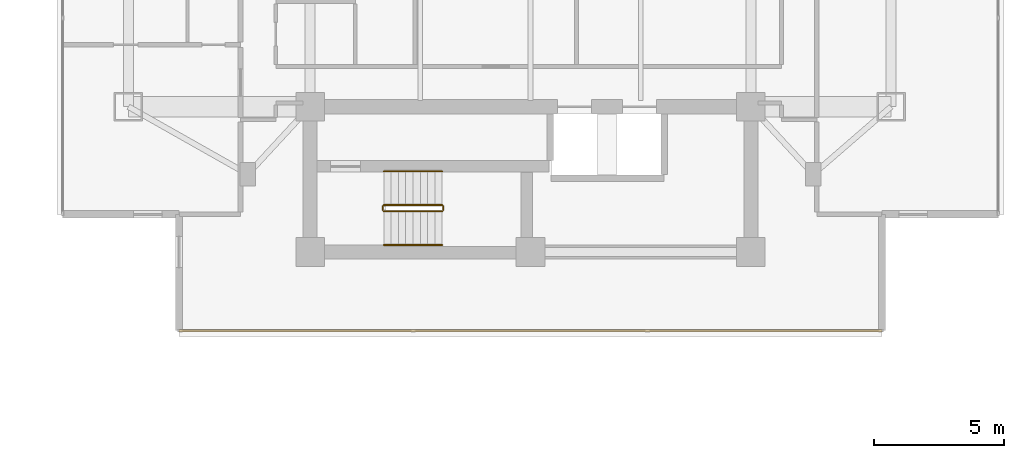
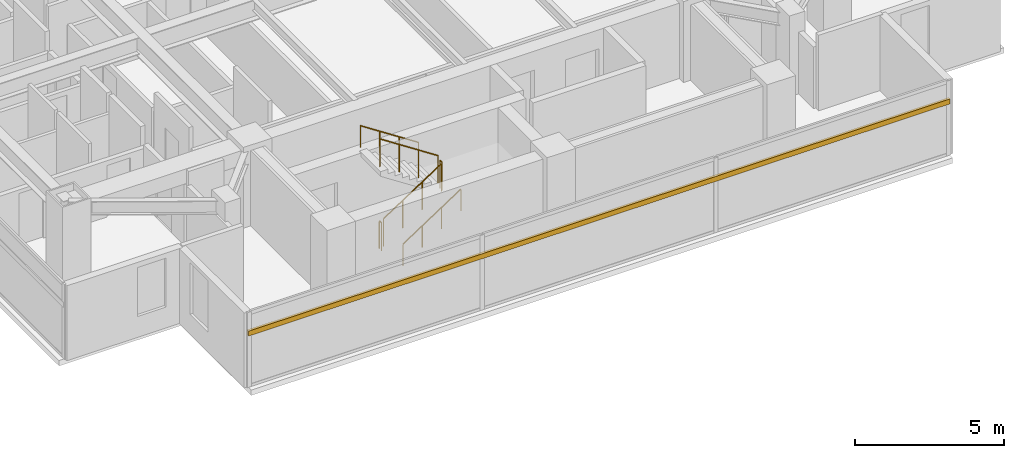
# One storey, part 22 of 24: 6 railings, 1 shading device.
"""IFC4 building model written with IfcOpenShell, lengths in metres."""

import ifcopenshell
import ifcopenshell.guid

model = None  # the IFC model being written
_history = None  # IfcOwnerHistory: only IFC2X3 demands one
_inside = {}  # id of a spatial element -> (the spatial element, [elements in it])
_under = {}  # id of a project, library or spatial element -> (it, [spatial elements below it])
_declared = {}  # id of a project -> (the project, [libraries it declares])
_typed = {}  # id of a type object -> (the type object, [elements of that type])
_made_of = {}  # id of a material, layer set ... -> (it, [elements and type objects made of it])


def new_model(schema):
    """Start an empty IFC model of exactly this schema.

    Asked for "IFC4X3", IfcOpenShell would pick the latest addendum, in which some entities
    have other attributes; the version numbers below select the first issue.
    IFC2X3 requires an IfcOwnerHistory on every rooted entity: one is made here for all.
    """
    global model, _history
    if schema == "IFC4X3":
        model = ifcopenshell.file(schema_version=(4, 3, 0, 0))
    else:
        model = ifcopenshell.file(schema=schema)
    _inside.clear()
    _under.clear()
    _declared.clear()
    _typed.clear()
    _made_of.clear()
    _history = None
    if model.schema == "IFC2X3":
        org = make("IfcOrganization", Name="unknown")
        user = make(
            "IfcPersonAndOrganization",
            ThePerson=make("IfcPerson", FamilyName="unknown"),
            TheOrganization=org,
        )
        app = make(
            "IfcApplication",
            ApplicationDeveloper=org,
            Version="unknown",
            ApplicationFullName="unknown",
            ApplicationIdentifier="unknown",
        )
        _history = make(
            "IfcOwnerHistory",
            OwningUser=user,
            OwningApplication=app,
            ChangeAction="ADDED",
            CreationDate=0,
        )
    return model


def make(cls, **values):
    """One entity of the class cls with the attributes given. An attribute that is None is left unset."""
    return model.create_entity(
        cls, **{name: value for name, value in values.items() if value is not None}
    )


def rooted(cls, **values):
    """An entity with a GlobalId (a new one), such as an element, a storey or a relation."""
    return make(cls, GlobalId=ifcopenshell.guid.new(), OwnerHistory=_history, **values)


def si_unit(unit_type, name, prefix=None):
    """IfcSIUnit, for example si_unit("LENGTHUNIT", "METRE", prefix="MILLI")."""
    return make("IfcSIUnit", UnitType=unit_type, Prefix=prefix, Name=name)


def assignment(units):
    """IfcUnitAssignment: the units of a project."""
    return None if units is None else make("IfcUnitAssignment", Units=units)


def point(xyz):
    """IfcCartesianPoint."""
    return None if xyz is None else make("IfcCartesianPoint", Coordinates=xyz)


def direction(xyz):
    """IfcDirection."""
    return None if xyz is None else make("IfcDirection", DirectionRatios=xyz)


def frame(location, z_axis=None, x_axis=None):
    """IfcAxis2Placement3D, a coordinate frame: its origin and axes. An axis left out is left unset."""
    return make(
        "IfcAxis2Placement3D",
        Location=point(location),
        Axis=direction(z_axis),
        RefDirection=direction(x_axis),
    )


def frame_2d(location, x_axis=None):
    """IfcAxis2Placement2D, a coordinate frame in the plane: its origin and x axis."""
    return make(
        "IfcAxis2Placement2D", Location=point(location), RefDirection=direction(x_axis)
    )


def origin():
    """The frame at (0, 0, 0) with its axes left unset."""
    return frame((0.0, 0.0, 0.0))


def origin_2d():
    """The frame at (0, 0) in the plane with its x axis left unset."""
    return frame_2d((0.0, 0.0))


def place(relative_to, where):
    """IfcLocalPlacement: puts the frame where relative to a parent placement (None: the world)."""
    return make(
        "IfcLocalPlacement", PlacementRelTo=relative_to, RelativePlacement=where
    )


def context(
    kind, dimensions, precision=None, world=None, true_north=None, identifier=None
):
    """IfcGeometricRepresentationContext, for example the 3D "Model" context."""
    return make(
        "IfcGeometricRepresentationContext",
        ContextIdentifier=identifier,
        ContextType=kind,
        CoordinateSpaceDimension=dimensions,
        Precision=precision,
        WorldCoordinateSystem=world,
        TrueNorth=true_north,
    )


def subcontext(parent, identifier, kind, view, scale=None):
    """IfcGeometricRepresentationSubContext, for example "Body" below "Model"."""
    return make(
        "IfcGeometricRepresentationSubContext",
        ContextIdentifier=identifier,
        ContextType=kind,
        ParentContext=parent,
        TargetScale=scale,
        TargetView=view,
    )


def project(units=None, contexts=None):
    """IfcProject with its units and contexts."""
    return rooted(
        "IfcProject",
        Name="project",
        RepresentationContexts=contexts,
        UnitsInContext=assignment(units),
    )


def spatial(cls, under=None, at=None, **own):
    """A site, building, storey or space (cls), placed at a placement, below another one or the project."""
    s = rooted(cls, ObjectPlacement=at, **own)
    if under is not None:
        _under.setdefault(under.id(), (under, []))[1].append(s)
    return s


def profile(cls, at=None, kind="AREA", **sizes):
    """A parametric profile (cls). Its sizes go by their IFC names, for example OverallWidth=200.0."""
    return make(cls, ProfileType=kind, Position=at, **sizes)


def rectangle(**sizes):
    """IfcRectangleProfileDef."""
    return profile("IfcRectangleProfileDef", **sizes)


def circle(**sizes):
    """IfcCircleProfileDef."""
    return profile("IfcCircleProfileDef", **sizes)


def extrude(swept, where, along, depth):
    """IfcExtrudedAreaSolid: the profile swept, set in the frame where, extruded along a direction by depth."""
    return make(
        "IfcExtrudedAreaSolid",
        SweptArea=swept,
        Position=where,
        ExtrudedDirection=direction(along),
        Depth=depth,
    )


def shape(context_of_items, identifier, shape_type, items):
    """IfcShapeRepresentation: the items that make up one representation, for example the "Body"."""
    return make(
        "IfcShapeRepresentation",
        ContextOfItems=context_of_items,
        RepresentationIdentifier=identifier,
        RepresentationType=shape_type,
        Items=items,
    )


def material(Name=None, Category=None):
    """IfcMaterial."""
    return make("IfcMaterial", Name=Name, Category=Category)


def material_profile(
    of_material, cross_section, Name=None, Category=None, Priority=None
):
    """IfcMaterialProfile: a cross section and its material."""
    return make(
        "IfcMaterialProfile",
        Name=Name,
        Material=of_material,
        Profile=cross_section,
        Priority=Priority,
        Category=Category,
    )


def profile_set(profiles, Name=None, composite=None):
    """IfcMaterialProfileSet."""
    return make(
        "IfcMaterialProfileSet",
        Name=Name,
        MaterialProfiles=profiles,
        CompositeProfile=composite,
    )


def made_of(thing, what):
    """Note that an element or type object is made of a material, layer set ...; save() writes the relation."""
    if what is not None:
        _made_of.setdefault(what.id(), (what, []))[1].append(thing)
    return thing


def type_object(cls, material=None, **own):
    """A type object (cls), such as IfcWallType, which elements share."""
    return made_of(rooted(cls, **own), material)


def element(
    cls,
    number,
    at=None,
    inside=None,
    cuts=None,
    type_object=None,
    material=None,
    context=None,
    identifier="Body",
    shape_type=None,
    held_by="IfcProductDefinitionShape",
    body=None,
    shapes=None,
    **own,
):
    """One element of the class cls, such as IfcWall. Its Tag is "e" and its number.

    at: its placement. inside: the storey or other place that contains it. cuts: it is an
    opening in that element (IfcRelVoidsElement). A single representation is given by context,
    identifier, shape_type and body (its items); several are given by shapes. held_by: the class
    of the entity that holds the representations. save() writes the other relations.
    """
    e = rooted(cls, Tag="e%d" % number, ObjectPlacement=at, **own)
    if body is not None:
        shapes = [shape(context, identifier, shape_type, body)]
    if shapes is not None:
        e.Representation = make(held_by, Representations=shapes)
    if inside is not None:
        _inside.setdefault(inside.id(), (inside, []))[1].append(e)
    if cuts is not None:
        rooted(
            "IfcRelVoidsElement", RelatingBuildingElement=cuts, RelatedOpeningElement=e
        )
    if type_object is not None:
        _typed.setdefault(type_object.id(), (type_object, []))[1].append(e)
    return made_of(e, material)


def aggregate(whole, parts):
    """IfcRelAggregates: a whole, such as a stair, and the parts it consists of."""
    return rooted("IfcRelAggregates", RelatingObject=whole, RelatedObjects=parts)


def save(model, path):
    """Write the relations noted so far, then the file.

    IfcRelAggregates (storeys below a building ...), IfcRelContainedInSpatialStructure (elements
    in a storey), IfcRelDefinesByType, IfcRelAssociatesMaterial and IfcRelDeclares: one each for
    every whole, place, type object, material and project.
    """
    for whole, parts in _under.values():
        aggregate(whole, parts)
    for where, things in _inside.values():
        rooted(
            "IfcRelContainedInSpatialStructure",
            RelatedElements=things,
            RelatingStructure=where,
        )
    for kind, things in _typed.values():
        rooted("IfcRelDefinesByType", RelatedObjects=things, RelatingType=kind)
    for what, things in _made_of.values():
        rooted("IfcRelAssociatesMaterial", RelatedObjects=things, RelatingMaterial=what)
    for by, libraries in _declared.values():
        rooted("IfcRelDeclares", RelatingContext=by, RelatedDefinitions=libraries)
    model.write(path)


model = new_model("IFC4")

# Units and contexts
model_context = context("Model", 3, precision=1e-05, world=origin(), true_north=direction((0.0, 1.0)))
body_context = subcontext(model_context, "Body", "Model", "MODEL_VIEW")
ifc_project = project(units=[si_unit("LENGTHUNIT", "METRE"), si_unit("AREAUNIT", "SQUARE_METRE"), si_unit("VOLUMEUNIT", "CUBIC_METRE"), si_unit("PLANEANGLEUNIT", "RADIAN"), si_unit("MASSUNIT", "GRAM", prefix="KILO")], contexts=[model_context])

# Site, building, storey
site_placement = place(None, origin())
site = spatial("IfcSite", under=ifc_project, at=site_placement, CompositionType="ELEMENT")
building_placement = place(site_placement, origin())
building = spatial("IfcBuilding", under=site, at=building_placement, Name="Mirazonda Arch Towers", CompositionType="ELEMENT")
storey_placement = place(building_placement, frame((0.0, 0.0, 134.60009765625)))
storey = spatial("IfcBuildingStorey", under=building, at=storey_placement, Name="L38", CompositionType="ELEMENT", Elevation=134.60009765625)

# Shading device
ifc_material_1 = material(Name="Kiln-Fired Architectural Terracotta", Category="masonry")
ifc_material_profile = material_profile(ifc_material_1, rectangle(XDim=0.10009765625, YDim=0.199951171875, at=origin_2d()), Name="TERRA-BAG-100x200")
ifc_profile_set = profile_set([ifc_material_profile], Name="Kiln-Fired Architectural Terracotta")
shading_device_type = type_object("IfcShadingDeviceType", Name="BAGUETTE-2", PredefinedType="USERDEFINED", material=ifc_profile_set)
shading_device_placement = place(storey_placement, frame((90.048583984375, 12.16455078125, 2.203125), z_axis=(-1.0, 0.0, 0.0), x_axis=(0.0, -1.0, 0.0)))
element("IfcShadingDevice", 1, at=shading_device_placement, inside=storey, type_object=shading_device_type, Name="L38 Glazed Terracotta Sun-Screen Baguette CW-L38-T2-S", ObjectType="BAGUETTE", PredefinedType="USERDEFINED", context=body_context, shape_type="SweptSolid", body=[
    extrude(rectangle(XDim=0.10009765625, YDim=0.199951171875, at=origin_2d()), origin(), (0.0, 0.0, 1.0), 27.09716796875),
])

# Railings
ifc_material_2 = material(Name="Architectural Brushed Steel S355", Category="steel")
railing_type_1 = type_object("IfcRailingType", Name="GUARD-STAIR-1120", PredefinedType="GUARDRAIL", material=ifc_material_2)
railing_1_placement = place(storey_placement, frame((70.85009765625, 16.77001953125, 0.183349609375)))
element("IfcRailing", 2, at=railing_1_placement, inside=storey, type_object=railing_type_1, Name="L38 ST-T2S stair guard 1", PredefinedType="GUARDRAIL", context=body_context, shape_type="SweptSolid", body=[
    extrude(circle(Radius=0.02392578125, at=origin_2d()), frame((0.0, 0.0, 1.1259765625), z_axis=(0.836636935527, 0.0, 0.547757827979), x_axis=(0.0, 1.0, 0.0)), (0.0, 0.0, 1.0), 2.677490234375),
    extrude(circle(Radius=0.02099609375, at=origin_2d()), origin(), (0.0, 0.0, 1.0), 1.101806640625),
    extrude(circle(Radius=0.02099609375, at=origin_2d()), frame((0.74658203125, 0.0, 0.48876953125)), (0.0, 0.0, 1.0), 1.101806640625),
    extrude(circle(Radius=0.02099609375, at=origin_2d()), frame((1.493408203125, 0.0, 0.977783203125)), (0.0, 0.0, 1.0), 1.101806640625),
    extrude(circle(Radius=0.02099609375, at=origin_2d()), frame((2.239990234375, 0.0, 1.466552734375)), (0.0, 0.0, 1.0), 1.101806640625),
])
railing_2_placement = place(storey_placement, frame((73.139892578125, 16.820068359375, 1.64990234375)))
element("IfcRailing", 3, at=railing_2_placement, inside=storey, type_object=railing_type_1, Name="L38 ST-T2S stair guard 2", PredefinedType="GUARDRAIL", context=body_context, shape_type="SweptSolid", body=[
    extrude(circle(Radius=0.02392578125, at=origin_2d()), frame((0.0, 0.0, 1.1259765625), z_axis=(0.0, 1.0, 0.0), x_axis=(-1.0, 0.0, 0.0)), (0.0, 0.0, 1.0), 0.139892578125),
    extrude(circle(Radius=0.02099609375, at=origin_2d()), origin(), (0.0, 0.0, 1.0), 1.101806640625),
    extrude(circle(Radius=0.02099609375, at=origin_2d()), frame((0.0, 0.139892578125, 0.0)), (0.0, 0.0, 1.0), 1.101806640625),
])
railing_3_placement = place(storey_placement, frame((73.090087890625, 17.010009765625, 1.833251953125)))
element("IfcRailing", 4, at=railing_3_placement, inside=storey, type_object=railing_type_1, Name="L38 ST-T2S stair guard 3", PredefinedType="GUARDRAIL", context=body_context, shape_type="SweptSolid", body=[
    extrude(circle(Radius=0.02392578125, at=origin_2d()), frame((0.0, 0.0, 1.1259765625), z_axis=(-0.836636935527, 0.0, 0.547757827979), x_axis=(0.0, -1.0, 0.0)), (0.0, 0.0, 1.0), 2.677490234375),
    extrude(circle(Radius=0.02099609375, at=origin_2d()), origin(), (0.0, 0.0, 1.0), 1.101806640625),
    extrude(circle(Radius=0.02099609375, at=origin_2d()), frame((-0.74658203125, 0.0, 0.48876953125)), (0.0, 0.0, 1.0), 1.101806640625),
    extrude(circle(Radius=0.02099609375, at=origin_2d()), frame((-1.493408203125, 0.0, 0.977783203125)), (0.0, 0.0, 1.0), 1.101806640625),
    extrude(circle(Radius=0.02099609375, at=origin_2d()), frame((-2.239990234375, 0.0, 1.466552734375)), (0.0, 0.0, 1.0), 1.101806640625),
])
railing_4_placement = place(storey_placement, frame((70.800048828125, 16.820068359375, 0.0)))
element("IfcRailing", 5, at=railing_4_placement, inside=storey, type_object=railing_type_1, Name="L38 ST-T2S stair guard 4", PredefinedType="GUARDRAIL", context=body_context, shape_type="SweptSolid", body=[
    extrude(circle(Radius=0.02392578125, at=origin_2d()), frame((0.0, 0.0, 1.1259765625), z_axis=(0.0, 1.0, 0.0), x_axis=(-1.0, 0.0, 0.0)), (0.0, 0.0, 1.0), 0.139892578125),
    extrude(circle(Radius=0.02099609375, at=origin_2d()), origin(), (0.0, 0.0, 1.0), 1.101806640625),
    extrude(circle(Radius=0.02099609375, at=origin_2d()), frame((0.0, 0.139892578125, 0.0)), (0.0, 0.0, 1.0), 1.101806640625),
])
railing_type_2 = type_object("IfcRailingType", Name="HANDRAIL-915", PredefinedType="HANDRAIL", material=ifc_material_2)
railing_5_placement = place(storey_placement, frame((70.85009765625, 15.469970703125, 0.183349609375)))
element("IfcRailing", 6, at=railing_5_placement, inside=storey, type_object=railing_type_2, Name="L38 ST-T2S stair handrail 1", PredefinedType="HANDRAIL", context=body_context, shape_type="SweptSolid", body=[
    extrude(circle(Radius=0.02392578125, at=origin_2d()), frame((0.0, 0.0, 0.8759765625), z_axis=(0.836636935527, 0.0, 0.547757827979), x_axis=(0.0, 1.0, 0.0)), (0.0, 0.0, 1.0), 2.677490234375),
    extrude(circle(Radius=0.02099609375, at=origin_2d()), origin(), (0.0, 0.0, 1.0), 0.851806640625),
    extrude(circle(Radius=0.02099609375, at=origin_2d()), frame((0.74658203125, 0.0, 0.48876953125)), (0.0, 0.0, 1.0), 0.851806640625),
    extrude(circle(Radius=0.02099609375, at=origin_2d()), frame((1.493408203125, 0.0, 0.977783203125)), (0.0, 0.0, 1.0), 0.851806640625),
    extrude(circle(Radius=0.02099609375, at=origin_2d()), frame((2.239990234375, 0.0, 1.466552734375)), (0.0, 0.0, 1.0), 0.851806640625),
])
railing_6_placement = place(storey_placement, frame((73.090087890625, 18.31005859375, 1.833251953125)))
element("IfcRailing", 7, at=railing_6_placement, inside=storey, type_object=railing_type_2, Name="L38 ST-T2S stair handrail 2", PredefinedType="HANDRAIL", context=body_context, shape_type="SweptSolid", body=[
    extrude(circle(Radius=0.02392578125, at=origin_2d()), frame((0.0, 0.0, 0.8759765625), z_axis=(-0.836636935527, 0.0, 0.547757827979), x_axis=(0.0, -1.0, 0.0)), (0.0, 0.0, 1.0), 2.677490234375),
    extrude(circle(Radius=0.02099609375, at=origin_2d()), origin(), (0.0, 0.0, 1.0), 0.851806640625),
    extrude(circle(Radius=0.02099609375, at=origin_2d()), frame((-0.74658203125, 0.0, 0.48876953125)), (0.0, 0.0, 1.0), 0.851806640625),
    extrude(circle(Radius=0.02099609375, at=origin_2d()), frame((-1.493408203125, 0.0, 0.977783203125)), (0.0, 0.0, 1.0), 0.851806640625),
    extrude(circle(Radius=0.02099609375, at=origin_2d()), frame((-2.239990234375, 0.0, 1.466552734375)), (0.0, 0.0, 1.0), 0.851806640625),
])

save(model, "model.ifc")
